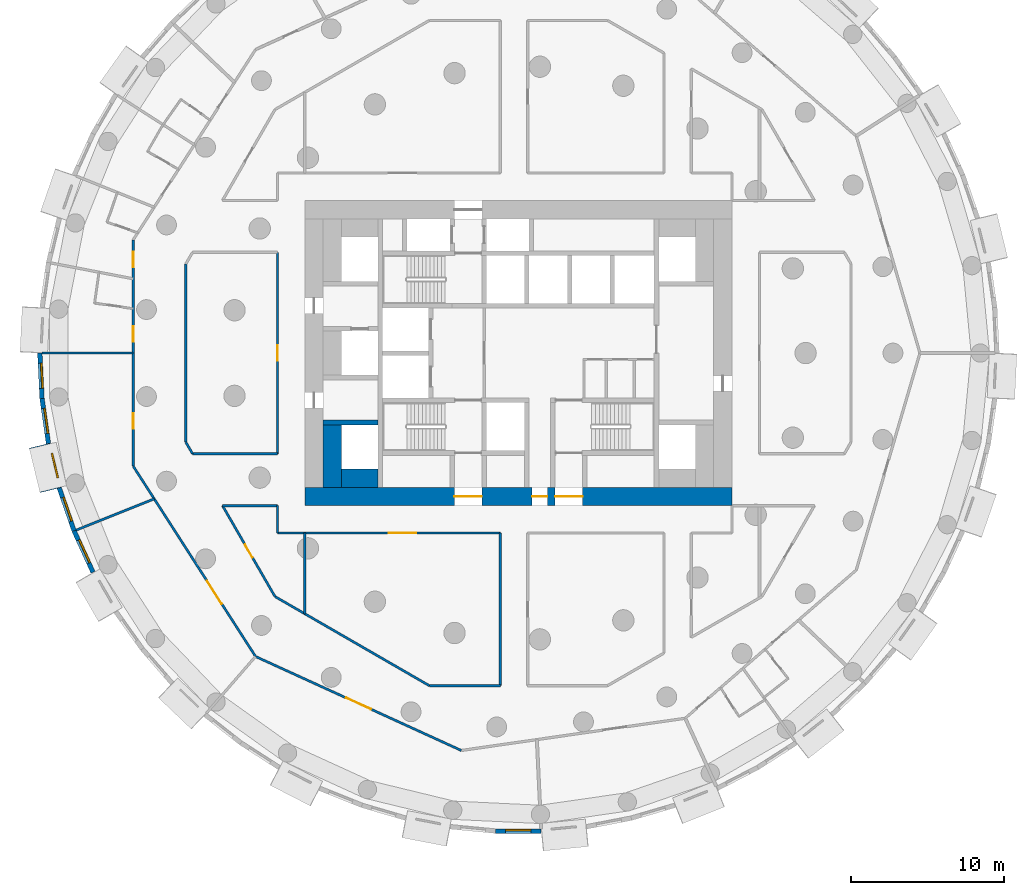
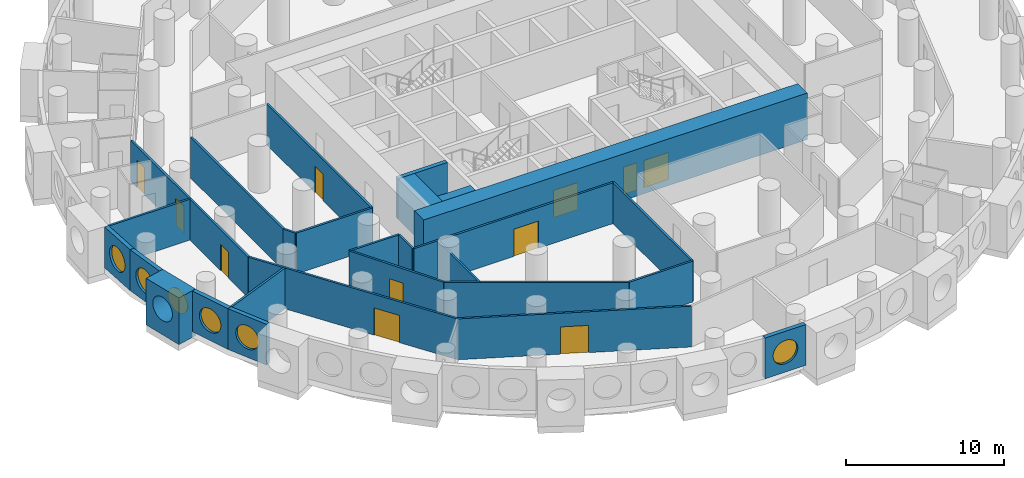
# One storey, part 3 of 11: 27 walls, 11 doors, 6 windows, 17 openings.
"""IFC4 building model written with IfcOpenShell, lengths in metres."""

from ifc_helpers import new_model, si_unit, direction, frame, frame_2d, origin, origin_2d, place, context, subcontext, project, spatial, rectangle, circle, extrude, material, layer, layer_set, type_object, element, fill, save


model = new_model("IFC4")

# Units and contexts
model_context = context("Model", 3, precision=1e-05, world=origin(), true_north=direction((0.0, 1.0)))
body_context = subcontext(model_context, "Body", "Model", "MODEL_VIEW")
ifc_project = project(units=[si_unit("LENGTHUNIT", "METRE"), si_unit("AREAUNIT", "SQUARE_METRE"), si_unit("VOLUMEUNIT", "CUBIC_METRE"), si_unit("PLANEANGLEUNIT", "RADIAN"), si_unit("MASSUNIT", "GRAM", prefix="KILO")], contexts=[model_context])

# Site, building, storey
site_placement = place(None, origin())
site = spatial("IfcSite", under=ifc_project, at=site_placement, CompositionType="ELEMENT")
building_placement = place(site_placement, origin())
building = spatial("IfcBuilding", under=site, at=building_placement, Name="Tracery Tower", CompositionType="ELEMENT")
storey_placement = place(building_placement, frame((0.0, 0.0, 64.199951171875)))
storey = spatial("IfcBuildingStorey", under=building, at=storey_placement, Name="L15", CompositionType="ELEMENT", Elevation=64.199951171875)

# Walls
ifc_material_1 = material(Name="Concrete C60/75", Category="concrete")
ifc_layer_1 = layer(ifc_material_1, 1.199951171875)
ifc_layer_set_1 = layer_set([ifc_layer_1], Name="Core strip wall 1200 C60")
wall_type_1 = type_object("IfcWallType", Name="Core strip wall 1200 C60", PredefinedType="SOLIDWALL", material=ifc_layer_set_1)
wall_1_placement = place(storey_placement, frame((-12.199951171875, -8.800048828125, 0.0), z_axis=(0.0, 0.0, 1.0), x_axis=(0.0, 1.0, 0.0)))
element("IfcWall", 1, at=wall_1_placement, inside=storey, type_object=wall_type_1, Name="L15 wing strip -1 -9.4", PredefinedType="SOLIDWALL", context=body_context, shape_type="SweptSolid", body=[
    extrude(rectangle(XDim=4.10009765625, YDim=1.199951171875, at=frame_2d((2.050048828125, 0.0))), origin(), (0.0, 0.0, 1.0), 3.150146484375),
])
wall_2_placement = place(storey_placement, frame((-11.60009765625, -8.199951171875, 0.0), z_axis=(0.0, 0.0, 1.0), x_axis=(1.0, 0.0, 0.0)))
element("IfcWall", 2, at=wall_2_placement, inside=storey, type_object=wall_type_1, Name="L15 wing corner -1 -8.2", PredefinedType="SOLIDWALL", context=body_context, shape_type="SweptSolid", body=[
    extrude(rectangle(XDim=2.400146484375, YDim=1.199951171875, at=frame_2d((1.2001953125, 0.0))), origin(), (0.0, 0.0, 1.0), 3.150146484375),
])

# Wall, openings, doors
ifc_material_2 = material(Name="Concrete C60/75", Category="concrete")
ifc_layer_2 = layer(ifc_material_2, 1.199951171875)
ifc_layer_set_2 = layer_set([ifc_layer_2], Name="Core wall 1200 C60")
wall_type_2 = type_object("IfcWallType", Name="Core wall 1200 C60", PredefinedType="SOLIDWALL", material=ifc_layer_set_2)
wall_3_placement = place(storey_placement, frame((-14.0, -9.39990234375, 0.0), z_axis=(0.0, 0.0, 1.0), x_axis=(1.0, 0.0, 0.0)))
wall_3 = element("IfcWall", 3, at=wall_3_placement, inside=storey, type_object=wall_type_2, Name="L15 outer S", PredefinedType="SOLIDWALL", context=body_context, shape_type="SweptSolid", body=[
    extrude(rectangle(XDim=28.0, YDim=1.199951171875, at=frame_2d((14.0, 0.0))), origin(), (0.0, 0.0, 1.0), 3.60009765625),
])
opening_1_placement = place(wall_3_placement, frame((14.89990234375, 0.0, 0.0)))
opening_1 = element("IfcOpeningElement", 4, at=opening_1_placement, cuts=wall_3, Name="Opening KD16", PredefinedType="OPENING", context=body_context, shape_type="SweptSolid", body=[
    extrude(rectangle(XDim=1.0, YDim=2.10009765625, at=frame_2d((0.5, 1.050048828125))), frame((0.0, 0.60009765625, 0.0), z_axis=(0.0, -1.0, 0.0), x_axis=(1.0, 0.0, 0.0)), (0.0, 0.0, 1.0), 1.199951171875),
])
opening_2_placement = place(wall_3_placement, frame((9.800048828125, 0.0, 0.0)))
opening_2 = element("IfcOpeningElement", 5, at=opening_2_placement, cuts=wall_3, Name="Opening KD13", PredefinedType="OPENING", context=body_context, shape_type="SweptSolid", body=[
    extrude(rectangle(XDim=1.800048828125, YDim=2.10009765625, at=frame_2d((0.89990234375, 1.050048828125))), frame((0.0, 0.60009765625, 0.0), z_axis=(0.0, -1.0, 0.0), x_axis=(1.0, 0.0, 0.0)), (0.0, 0.0, 1.0), 1.199951171875),
])
opening_3_placement = place(wall_3_placement, frame((16.39990234375, 0.0, 0.0)))
opening_3 = element("IfcOpeningElement", 6, at=opening_3_placement, cuts=wall_3, Name="Opening KD13", PredefinedType="OPENING", context=body_context, shape_type="SweptSolid", body=[
    extrude(rectangle(XDim=1.800048828125, YDim=2.10009765625, at=frame_2d((0.89990234375, 1.050048828125))), frame((0.0, 0.60009765625, 0.0), z_axis=(0.0, -1.0, 0.0), x_axis=(1.0, 0.0, 0.0)), (0.0, 0.0, 1.0), 1.199951171875),
])
ifc_material_3 = material(Name="Steel fire door", Category="steel")
door_type_1 = type_object("IfcDoorType", Name="Core exit door 1000", OperationType="NOTDEFINED", PredefinedType="DOOR", material=ifc_material_3)
door_1_placement = place(opening_1_placement, origin())
door_1 = element("IfcDoor", 7, at=door_1_placement, inside=storey, type_object=door_type_1, Name="Core exit door", OperationType="SINGLE_SWING_LEFT", OverallHeight=2.10009765625, OverallWidth=1.0, PredefinedType="DOOR", context=body_context, shape_type="SweptSolid", body=[
    extrude(rectangle(XDim=1.0, YDim=2.10009765625, at=frame_2d((0.5, 1.050048828125))), frame((0.0, 0.02490234375, 0.0), z_axis=(0.0, -1.0, 0.0), x_axis=(1.0, 0.0, 0.0)), (0.0, 0.0, 1.0), 0.050048828125),
])
fill(opening_1, door_1)
ifc_material_4 = material(Name="Steel fire door", Category="steel")
door_type_2 = type_object("IfcDoorType", Name="Core exit door 1800 double", OperationType="NOTDEFINED", PredefinedType="DOOR", material=ifc_material_4)
door_2_placement = place(opening_2_placement, origin())
door_2 = element("IfcDoor", 8, at=door_2_placement, inside=storey, type_object=door_type_2, Name="Core exit door", OperationType="DOUBLE_DOOR_SINGLE_SWING", OverallHeight=2.10009765625, OverallWidth=1.800048828125, PredefinedType="DOOR", context=body_context, shape_type="SweptSolid", body=[
    extrude(rectangle(XDim=1.800048828125, YDim=2.10009765625, at=frame_2d((0.89990234375, 1.050048828125))), frame((0.0, 0.02490234375, 0.0), z_axis=(0.0, -1.0, 0.0), x_axis=(1.0, 0.0, 0.0)), (0.0, 0.0, 1.0), 0.050048828125),
])
fill(opening_2, door_2)
door_3_placement = place(opening_3_placement, origin())
door_3 = element("IfcDoor", 9, at=door_3_placement, inside=storey, type_object=door_type_2, Name="Core exit door", OperationType="DOUBLE_DOOR_SINGLE_SWING", OverallHeight=2.10009765625, OverallWidth=1.800048828125, PredefinedType="DOOR", context=body_context, shape_type="SweptSolid", body=[
    extrude(rectangle(XDim=1.800048828125, YDim=2.10009765625, at=frame_2d((0.89990234375, 1.050048828125))), frame((0.0, 0.02490234375, 0.0), z_axis=(0.0, -1.0, 0.0), x_axis=(1.0, 0.0, 0.0)), (0.0, 0.0, 1.0), 0.050048828125),
])
fill(opening_3, door_3)

# Wall, opening, window
ifc_material_5 = material(Name="Precast concrete C50/60", Category="concrete")
ifc_layer_3 = layer(ifc_material_5, 1.449951171875)
ifc_layer_set_3 = layer_set([ifc_layer_3], Name="Deep-set bay unit 3000 x 3600, slab edge 450")
wall_type_3 = type_object("IfcWallType", Name="Deep-set bay unit 3000 x 3600, slab edge 450", PredefinedType="ELEMENTEDWALL", material=ifc_layer_set_3)
wall_4_placement = place(storey_placement, frame((-31.367919921875, -6.066162109375, -0.449951171875), z_axis=(0.0, 0.0, 1.0), x_axis=(0.235751415068, -0.971813392732, 0.0)))
wall_4 = element("IfcWall", 10, at=wall_4_placement, inside=storey, type_object=wall_type_3, Name="Deep-set bay unit 36 at L15", PredefinedType="ELEMENTEDWALL", context=body_context, shape_type="SweptSolid", body=[
    extrude(rectangle(XDim=3.0, YDim=1.449951171875, at=frame_2d((1.5, 0.0))), origin(), (0.0, 0.0, 1.0), 3.60009765625),
])
opening_4_placement = place(wall_4_placement, frame((1.5, 0.0, 2.0)))
opening_4 = element("IfcOpeningElement", 11, at=opening_4_placement, cuts=wall_4, Name="Opening WN1", PredefinedType="OPENING", context=body_context, shape_type="SweptSolid", body=[
    extrude(circle(Radius=0.9000244140625, at=origin_2d()), frame((0.0, 0.73486328125, 0.0), z_axis=(0.0, -1.0, 0.0), x_axis=(1.0, 0.0, 0.0)), (0.0, 0.0, 1.0), 1.469970703125),
])
ifc_material_6 = material(Name="Aluminium frame with tinted double glazing", Category="aluminium")
window_type = type_object("IfcWindowType", Name="Round window 1800", PartitioningType="SINGLE_PANEL", PredefinedType="WINDOW", material=ifc_material_6)
window_1_placement = place(opening_4_placement, origin())
window_1 = element("IfcWindow", 12, at=window_1_placement, inside=storey, type_object=window_type, Name="Round window 36 at L15", OverallHeight=1.800048828125, OverallWidth=1.800048828125, PartitioningType="SINGLE_PANEL", PredefinedType="WINDOW", context=body_context, shape_type="SweptSolid", body=[
    extrude(circle(Radius=0.9000244140625, at=origin_2d()), frame((0.0, 0.69482421875, 0.0), z_axis=(0.0, -1.0, 0.0), x_axis=(1.0, 0.0, 0.0)), (0.0, 0.0, 1.0), 0.10009765625),
])
fill(opening_4, window_1)

ifc_material_7 = material(Name="Precast concrete C50/60", Category="concrete")
ifc_layer_4 = layer(ifc_material_7, 0.300048828125)
ifc_layer_set_4 = layer_set([ifc_layer_4], Name="Facade panel 3000 x 3150")
wall_type_4 = type_object("IfcWallType", Name="Facade panel 3000 x 3150", PredefinedType="SOLIDWALL", material=ifc_layer_set_4)
wall_5_placement = place(storey_placement, frame((-31.3740234375, -0.006103515625, 0.0), z_axis=(0.0, 0.0, 1.0), x_axis=(0.047522328113, -0.998870175914, 0.0)))
wall_5 = element("IfcWall", 13, at=wall_5_placement, inside=storey, type_object=wall_type_4, Name="Facade panel 34 at L15", PredefinedType="SOLIDWALL", context=body_context, shape_type="SweptSolid", body=[
    extrude(rectangle(XDim=2.979736328125, YDim=0.300048828125, at=frame_2d((1.48974609375, 0.0))), origin(), (0.0, 0.0, 1.0), 3.150146484375),
])
opening_5_placement = place(wall_5_placement, frame((1.48974609375, 0.0, 1.5498046875)))
opening_5 = element("IfcOpeningElement", 14, at=opening_5_placement, cuts=wall_5, Name="Opening WN1", PredefinedType="OPENING", context=body_context, shape_type="SweptSolid", body=[
    extrude(circle(Radius=0.9000244140625, at=origin_2d()), frame((0.0, 0.159912109375, 0.0), z_axis=(0.0, -1.0, 0.0), x_axis=(1.0, 0.0, 0.0)), (0.0, 0.0, 1.0), 0.320068359375),
])
window_2_placement = place(opening_5_placement, origin())
window_2 = element("IfcWindow", 15, at=window_2_placement, inside=storey, type_object=window_type, Name="Round window 34 at L15", OverallHeight=1.800048828125, OverallWidth=1.800048828125, PartitioningType="SINGLE_PANEL", PredefinedType="WINDOW", context=body_context, shape_type="SweptSolid", body=[
    extrude(circle(Radius=0.9000244140625, at=origin_2d()), frame((0.0, 0.1201171875, 0.0), z_axis=(0.0, -1.0, 0.0), x_axis=(1.0, 0.0, 0.0)), (0.0, 0.0, 1.0), 0.10009765625),
])
fill(opening_5, window_2)

wall_6_placement = place(storey_placement, frame((-31.232421875, -2.982421875, 0.0), z_axis=(0.0, 0.0, 1.0), x_axis=(0.142327539111, -0.989819615693, 0.0)))
wall_6 = element("IfcWall", 16, at=wall_6_placement, inside=storey, type_object=wall_type_4, Name="Facade panel 35 at L15", PredefinedType="SOLIDWALL", context=body_context, shape_type="SweptSolid", body=[
    extrude(rectangle(XDim=2.9794921875, YDim=0.300048828125, at=frame_2d((1.48974609375, 0.0))), origin(), (0.0, 0.0, 1.0), 3.150146484375),
])
opening_6_placement = place(wall_6_placement, frame((1.48974609375, 0.0, 1.5498046875)))
opening_6 = element("IfcOpeningElement", 17, at=opening_6_placement, cuts=wall_6, Name="Opening WN1", PredefinedType="OPENING", context=body_context, shape_type="SweptSolid", body=[
    extrude(circle(Radius=0.9000244140625, at=origin_2d()), frame((0.0, 0.159912109375, 0.0), z_axis=(0.0, -1.0, 0.0), x_axis=(1.0, 0.0, 0.0)), (0.0, 0.0, 1.0), 0.320068359375),
])
window_3_placement = place(opening_6_placement, origin())
window_3 = element("IfcWindow", 18, at=window_3_placement, inside=storey, type_object=window_type, Name="Round window 35 at L15", OverallHeight=1.800048828125, OverallWidth=1.800048828125, PartitioningType="SINGLE_PANEL", PredefinedType="WINDOW", context=body_context, shape_type="SweptSolid", body=[
    extrude(circle(Radius=0.9000244140625, at=origin_2d()), frame((0.0, 0.1201171875, 0.0), z_axis=(0.0, -1.0, 0.0), x_axis=(1.0, 0.0, 0.0)), (0.0, 0.0, 1.0), 0.10009765625),
])
fill(opening_6, window_3)

wall_7_placement = place(storey_placement, frame((-30.1015625, -8.844970703125, 0.0), z_axis=(0.0, 0.0, 1.0), x_axis=(0.327096492592, -0.944990944154, 0.0)))
wall_7 = element("IfcWall", 19, at=wall_7_placement, inside=storey, type_object=wall_type_4, Name="Facade panel 37 at L15", PredefinedType="SOLIDWALL", context=body_context, shape_type="SweptSolid", body=[
    extrude(rectangle(XDim=2.9794921875, YDim=0.300048828125, at=frame_2d((1.48974609375, 0.0))), origin(), (0.0, 0.0, 1.0), 3.150146484375),
])
opening_7_placement = place(wall_7_placement, frame((1.48974609375, 0.0, 1.5498046875)))
opening_7 = element("IfcOpeningElement", 20, at=opening_7_placement, cuts=wall_7, Name="Opening WN1", PredefinedType="OPENING", context=body_context, shape_type="SweptSolid", body=[
    extrude(circle(Radius=0.9000244140625, at=origin_2d()), frame((0.0, 0.159912109375, 0.0), z_axis=(0.0, -1.0, 0.0), x_axis=(1.0, 0.0, 0.0)), (0.0, 0.0, 1.0), 0.320068359375),
])
window_4_placement = place(opening_7_placement, origin())
window_4 = element("IfcWindow", 21, at=window_4_placement, inside=storey, type_object=window_type, Name="Round window 37 at L15", OverallHeight=1.800048828125, OverallWidth=1.800048828125, PartitioningType="SINGLE_PANEL", PredefinedType="WINDOW", context=body_context, shape_type="SweptSolid", body=[
    extrude(circle(Radius=0.9000244140625, at=origin_2d()), frame((0.0, 0.1201171875, 0.0), z_axis=(0.0, -1.0, 0.0), x_axis=(1.0, 0.0, 0.0)), (0.0, 0.0, 1.0), 0.10009765625),
])
fill(opening_7, window_4)

wall_8_placement = place(storey_placement, frame((-29.126953125, -11.66064453125, 0.0), z_axis=(0.0, 0.0, 1.0), x_axis=(0.415407317162, -0.909635509888, 0.0)))
wall_8 = element("IfcWall", 22, at=wall_8_placement, inside=storey, type_object=wall_type_4, Name="Facade panel 38 at L15", PredefinedType="SOLIDWALL", context=body_context, shape_type="SweptSolid", body=[
    extrude(rectangle(XDim=2.979736328125, YDim=0.300048828125, at=frame_2d((1.48974609375, 0.0))), origin(), (0.0, 0.0, 1.0), 3.150146484375),
])
opening_8_placement = place(wall_8_placement, frame((1.48974609375, 0.0, 1.5498046875)))
opening_8 = element("IfcOpeningElement", 23, at=opening_8_placement, cuts=wall_8, Name="Opening WN1", PredefinedType="OPENING", context=body_context, shape_type="SweptSolid", body=[
    extrude(circle(Radius=0.9000244140625, at=origin_2d()), frame((0.0, 0.159912109375, 0.0), z_axis=(0.0, -1.0, 0.0), x_axis=(1.0, 0.0, 0.0)), (0.0, 0.0, 1.0), 0.320068359375),
])
window_5_placement = place(opening_8_placement, origin())
window_5 = element("IfcWindow", 24, at=window_5_placement, inside=storey, type_object=window_type, Name="Round window 38 at L15", OverallHeight=1.800048828125, OverallWidth=1.800048828125, PartitioningType="SINGLE_PANEL", PredefinedType="WINDOW", context=body_context, shape_type="SweptSolid", body=[
    extrude(circle(Radius=0.9000244140625, at=origin_2d()), frame((0.0, 0.1201171875, 0.0), z_axis=(0.0, -1.0, 0.0), x_axis=(1.0, 0.0, 0.0)), (0.0, 0.0, 1.0), 0.10009765625),
])
fill(opening_8, window_5)

wall_9_placement = place(storey_placement, frame((-1.492919921875, -31.3388671875, 0.0), z_axis=(0.0, 0.0, 1.0), x_axis=(1.0, 0.0, 0.0)))
wall_9 = element("IfcWall", 25, at=wall_9_placement, inside=storey, type_object=wall_type_4, Name="Facade panel 50 at L15", PredefinedType="SOLIDWALL", context=body_context, shape_type="SweptSolid", body=[
    extrude(rectangle(XDim=2.979736328125, YDim=0.300048828125, at=frame_2d((1.48974609375, 0.0))), origin(), (0.0, 0.0, 1.0), 3.150146484375),
])
opening_9_placement = place(wall_9_placement, frame((1.48974609375, 0.0, 1.5498046875)))
opening_9 = element("IfcOpeningElement", 26, at=opening_9_placement, cuts=wall_9, Name="Opening WN1", PredefinedType="OPENING", context=body_context, shape_type="SweptSolid", body=[
    extrude(circle(Radius=0.9000244140625, at=origin_2d()), frame((0.0, 0.159912109375, 0.0), z_axis=(0.0, -1.0, 0.0), x_axis=(1.0, 0.0, 0.0)), (0.0, 0.0, 1.0), 0.320068359375),
])
window_6_placement = place(opening_9_placement, origin())
window_6 = element("IfcWindow", 27, at=window_6_placement, inside=storey, type_object=window_type, Name="Round window 50 at L15", OverallHeight=1.800048828125, OverallWidth=1.800048828125, PartitioningType="SINGLE_PANEL", PredefinedType="WINDOW", context=body_context, shape_type="SweptSolid", body=[
    extrude(circle(Radius=0.9000244140625, at=origin_2d()), frame((0.0, 0.1201171875, 0.0), z_axis=(0.0, -1.0, 0.0), x_axis=(1.0, 0.0, 0.0)), (0.0, 0.0, 1.0), 0.10009765625),
])
fill(opening_9, window_6)

# Walls
ifc_material_8 = material(Name="Plasterboard on steel studs", Category="steel")
ifc_layer_5 = layer(ifc_material_8, 0.14990234375)
ifc_layer_set_5 = layer_set([ifc_layer_5], Name="Partition 150 acoustic unit wall")
wall_type_5 = type_object("IfcWallType", Name="Partition 150 acoustic unit wall", PredefinedType="PARTITIONING", material=ifc_layer_set_5)
wall_10_placement = place(storey_placement, frame((-14.0, -17.092041015625, 0.0), z_axis=(0.0, 0.0, 1.0), x_axis=(0.0, 1.0, 0.0)))
element("IfcWall", 28, at=wall_10_placement, inside=storey, type_object=wall_type_5, Name="Unit wall RA4-063", PredefinedType="PARTITIONING", context=body_context, shape_type="SweptSolid", body=[
    extrude(rectangle(XDim=5.2919921875, YDim=0.14990234375, at=frame_2d((2.64599609375, 0.0))), origin(), (0.0, 0.0, 1.0), 3.150146484375),
])
wall_11_placement = place(storey_placement, frame((-31.22412109375, 0.0, 0.0), z_axis=(0.0, 0.0, 1.0), x_axis=(1.0, 0.0, 0.0)))
element("IfcWall", 29, at=wall_11_placement, inside=storey, type_object=wall_type_5, Name="Unit wall RA4-082", PredefinedType="PARTITIONING", context=body_context, shape_type="SweptSolid", body=[
    extrude(rectangle(XDim=5.97119140625, YDim=0.14990234375, at=frame_2d((2.985595703125, 0.0))), origin(), (0.0, 0.0, 1.0), 3.150146484375),
])
wall_12_placement = place(storey_placement, frame((-28.988037109375, -11.60498046875, 0.0), z_axis=(0.0, 0.0, 1.0), x_axis=(0.928372711727, 0.371650518795, 0.0)))
element("IfcWall", 30, at=wall_12_placement, inside=storey, type_object=wall_type_5, Name="Unit wall RA4-083", PredefinedType="PARTITIONING", context=body_context, shape_type="SweptSolid", body=[
    extrude(rectangle(XDim=5.507568359375, YDim=0.14990234375, at=frame_2d((2.75390625, 0.0))), origin(), (0.0, 0.0, 1.0), 3.150146484375),
])

# Wall, opening, door
ifc_material_9 = material(Name="Plasterboard on steel studs", Category="steel")
ifc_layer_6 = layer(ifc_material_9, 0.14990234375)
ifc_layer_set_6 = layer_set([ifc_layer_6], Name="Partition 150 corridor wall")
wall_type_6 = type_object("IfcWallType", Name="Partition 150 corridor wall", PredefinedType="PARTITIONING", material=ifc_layer_set_6)
wall_13_placement = place(storey_placement, frame((-15.800048828125, -11.800048828125, 0.0), z_axis=(0.0, 0.0, 1.0), x_axis=(1.0, 0.0, 0.0)))
wall_13 = element("IfcWall", 31, at=wall_13_placement, inside=storey, type_object=wall_type_6, Name="Corridor wall RA4-006", PredefinedType="PARTITIONING", context=body_context, shape_type="SweptSolid", body=[
    extrude(rectangle(XDim=14.612060546875, YDim=0.14990234375, at=frame_2d((7.30615234375, 0.0))), origin(), (0.0, 0.0, 1.0), 3.150146484375),
])
opening_10_placement = place(wall_13_placement, frame((7.303955078125, 0.0, 0.0)))
opening_10 = element("IfcOpeningElement", 32, at=opening_10_placement, cuts=wall_13, Name="Opening RA4-04", PredefinedType="OPENING", context=body_context, shape_type="SweptSolid", body=[
    extrude(rectangle(XDim=1.800048828125, YDim=2.10009765625, at=frame_2d((0.89990234375, 1.050048828125))), frame((0.0, 0.074951171875, 0.0), z_axis=(0.0, -1.0, 0.0), x_axis=(1.0, 0.0, 0.0)), (0.0, 0.0, 1.0), 0.14990234375),
])
ifc_material_10 = material(Name="Timber door leaf", Category="wood")
door_type_3 = type_object("IfcDoorType", Name="Door double lounge 1800", OperationType="NOTDEFINED", PredefinedType="DOOR", material=ifc_material_10)
door_4_placement = place(opening_10_placement, origin())
door_4 = element("IfcDoor", 33, at=door_4_placement, inside=storey, type_object=door_type_3, Name="Double lounge door RA4-04", OperationType="DOUBLE_DOOR_SINGLE_SWING", OverallHeight=2.10009765625, OverallWidth=1.800048828125, PredefinedType="DOOR", context=body_context, shape_type="SweptSolid", body=[
    extrude(rectangle(XDim=1.800048828125, YDim=2.10009765625, at=frame_2d((0.89990234375, 1.050048828125))), frame((0.0, 0.02490234375, 0.0), z_axis=(0.0, -1.0, 0.0), x_axis=(1.0, 0.0, 0.0)), (0.0, 0.0, 1.0), 0.050048828125),
])
fill(opening_10, door_4)

# Wall
wall_14_placement = place(storey_placement, frame((-15.800048828125, -11.800048828125, 0.0), z_axis=(0.0, 0.0, 1.0), x_axis=(0.0, 1.0, 0.0)))
element("IfcWall", 34, at=wall_14_placement, inside=storey, type_object=wall_type_6, Name="Corridor wall RA4-010", PredefinedType="PARTITIONING", context=body_context, shape_type="SweptSolid", body=[
    extrude(rectangle(XDim=1.800048828125, YDim=0.14990234375, at=frame_2d((0.89990234375, 0.0))), origin(), (0.0, 0.0, 1.0), 3.150146484375),
])

# Wall, opening, door
wall_15_placement = place(storey_placement, frame((-15.800048828125, -6.60400390625, 0.0), z_axis=(0.0, 0.0, 1.0), x_axis=(0.0, 1.0, 0.0)))
wall_15 = element("IfcWall", 35, at=wall_15_placement, inside=storey, type_object=wall_type_6, Name="Corridor wall RA4-014", PredefinedType="PARTITIONING", context=body_context, shape_type="SweptSolid", body=[
    extrude(rectangle(XDim=13.2080078125, YDim=0.14990234375, at=frame_2d((6.60400390625, 0.0))), origin(), (0.0, 0.0, 1.0), 3.150146484375),
])
opening_11_placement = place(wall_15_placement, frame((6.10400390625, 0.0, 0.0)))
opening_11 = element("IfcOpeningElement", 36, at=opening_11_placement, cuts=wall_15, Name="Opening RA4-08", PredefinedType="OPENING", context=body_context, shape_type="SweptSolid", body=[
    extrude(rectangle(XDim=1.0, YDim=2.0400390625, at=frame_2d((0.5, 1.02001953125))), frame((0.0, 0.074951171875, 0.0), z_axis=(0.0, -1.0, 0.0), x_axis=(1.0, 0.0, 0.0)), (0.0, 0.0, 1.0), 0.14990234375),
])
ifc_material_11 = material(Name="Timber door leaf", Category="wood")
door_type_4 = type_object("IfcDoorType", Name="Door communal room 1000", OperationType="NOTDEFINED", PredefinedType="DOOR", material=ifc_material_11)
door_5_placement = place(opening_11_placement, origin())
door_5 = element("IfcDoor", 37, at=door_5_placement, inside=storey, type_object=door_type_4, Name="Communal room door RA4-08", OperationType="SINGLE_SWING_RIGHT", OverallHeight=2.0400390625, OverallWidth=1.0, PredefinedType="DOOR", context=body_context, shape_type="SweptSolid", body=[
    extrude(rectangle(XDim=1.0, YDim=2.0400390625, at=frame_2d((0.5, 1.02001953125))), frame((0.0, 0.02490234375, 0.0), z_axis=(0.0, -1.0, 0.0), x_axis=(1.0, 0.0, 0.0)), (0.0, 0.0, 1.0), 0.050048828125),
])
fill(opening_11, door_5)

# Walls
wall_16_placement = place(storey_placement, frame((-21.802001953125, -5.842041015625, 0.0), z_axis=(0.0, 0.0, 1.0), x_axis=(0.0, 1.0, 0.0)))
element("IfcWall", 38, at=wall_16_placement, inside=storey, type_object=wall_type_6, Name="Corridor wall RA4-040", PredefinedType="PARTITIONING", context=body_context, shape_type="SweptSolid", body=[
    extrude(rectangle(XDim=11.68408203125, YDim=0.14990234375, at=frame_2d((5.842041015625, 0.0))), origin(), (0.0, 0.0, 1.0), 3.150146484375),
])
wall_17_placement = place(storey_placement, frame((-21.802001953125, -5.842041015625, 0.0), z_axis=(0.0, 0.0, 1.0), x_axis=(0.500277597875, -0.865865073245, 0.0)))
element("IfcWall", 39, at=wall_17_placement, inside=storey, type_object=wall_type_6, Name="Corridor wall RA4-041", PredefinedType="PARTITIONING", context=body_context, shape_type="SweptSolid", body=[
    extrude(rectangle(XDim=0.87548828125, YDim=0.14990234375, at=frame_2d((0.437744140625, 0.0))), origin(), (0.0, 0.0, 1.0), 3.150146484375),
])
wall_18_placement = place(storey_placement, frame((-21.364013671875, -6.60009765625, 0.0), z_axis=(0.0, 0.0, 1.0), x_axis=(1.0, 0.0, 0.0)))
element("IfcWall", 40, at=wall_18_placement, inside=storey, type_object=wall_type_6, Name="Corridor wall RA4-042", PredefinedType="PARTITIONING", context=body_context, shape_type="SweptSolid", body=[
    extrude(rectangle(XDim=5.56396484375, YDim=0.14990234375, at=frame_2d((2.781982421875, 0.0))), origin(), (0.0, 0.0, 1.0), 3.150146484375),
])
wall_19_placement = place(storey_placement, frame((-19.40087890625, -10.0, 0.0), z_axis=(0.0, 0.0, 1.0), x_axis=(1.0, 0.0, 0.0)))
element("IfcWall", 41, at=wall_19_placement, inside=storey, type_object=wall_type_6, Name="Corridor wall RA4-045", PredefinedType="PARTITIONING", context=body_context, shape_type="SweptSolid", body=[
    extrude(rectangle(XDim=3.600830078125, YDim=0.14990234375, at=frame_2d((1.80029296875, 0.0))), origin(), (0.0, 0.0, 1.0), 3.150146484375),
])

# Wall, opening, door
wall_20_placement = place(storey_placement, frame((-19.40087890625, -10.0, 0.0), z_axis=(0.0, 0.0, 1.0), x_axis=(0.499992689227, -0.86602962462, 0.0)))
wall_20 = element("IfcWall", 42, at=wall_20_placement, inside=storey, type_object=wall_type_6, Name="Corridor wall RA4-046", PredefinedType="PARTITIONING", context=body_context, shape_type="SweptSolid", body=[
    extrude(rectangle(XDim=6.8818359375, YDim=0.14990234375, at=frame_2d((3.44091796875, 0.0))), origin(), (0.0, 0.0, 1.0), 3.150146484375),
])
opening_12_placement = place(wall_20_placement, frame((2.94091796875, 0.0, 0.0)))
opening_12 = element("IfcOpeningElement", 43, at=opening_12_placement, cuts=wall_20, Name="Opening RA4-12", PredefinedType="OPENING", context=body_context, shape_type="SweptSolid", body=[
    extrude(rectangle(XDim=1.0, YDim=2.0400390625, at=frame_2d((0.5, 1.02001953125))), frame((0.0, 0.074951171875, 0.0), z_axis=(0.0, -1.0, 0.0), x_axis=(1.0, 0.0, 0.0)), (0.0, 0.0, 1.0), 0.14990234375),
])
door_6_placement = place(opening_12_placement, origin())
door_6 = element("IfcDoor", 44, at=door_6_placement, inside=storey, type_object=door_type_4, Name="Communal room door RA4-12", OperationType="SINGLE_SWING_LEFT", OverallHeight=2.0400390625, OverallWidth=1.0, PredefinedType="DOOR", context=body_context, shape_type="SweptSolid", body=[
    extrude(rectangle(XDim=1.0, YDim=2.0400390625, at=frame_2d((0.5, 1.02001953125))), frame((0.0, 0.02490234375, 0.0), z_axis=(0.0, -1.0, 0.0), x_axis=(1.0, 0.0, 0.0)), (0.0, 0.0, 1.0), 0.050048828125),
])
fill(opening_12, door_6)

# Wall, openings, doors
wall_21_placement = place(storey_placement, frame((-25.2529296875, -7.4150390625, 0.0), z_axis=(0.0, 0.0, 1.0), x_axis=(0.0, 1.0, 0.0)))
wall_21 = element("IfcWall", 45, at=wall_21_placement, inside=storey, type_object=wall_type_6, Name="Corridor wall RA4-047", PredefinedType="PARTITIONING", context=body_context, shape_type="SweptSolid", body=[
    extrude(rectangle(XDim=14.830078125, YDim=0.14990234375, at=frame_2d((7.4150390625, 0.0))), origin(), (0.0, 0.0, 1.0), 3.150146484375),
])
opening_13_placement = place(wall_21_placement, frame((13.053955078125, 0.0, 0.0)))
opening_13 = element("IfcOpeningElement", 46, at=opening_13_placement, cuts=wall_21, Name="Opening RA4-23", PredefinedType="OPENING", context=body_context, shape_type="SweptSolid", body=[
    extrude(rectangle(XDim=1.0, YDim=2.10009765625, at=frame_2d((0.5, 1.050048828125))), frame((0.0, 0.074951171875, 0.0), z_axis=(0.0, -1.0, 0.0), x_axis=(1.0, 0.0, 0.0)), (0.0, 0.0, 1.0), 0.14990234375),
])
opening_14_placement = place(wall_21_placement, frame((8.1689453125, 0.0, 0.0)))
opening_14 = element("IfcOpeningElement", 47, at=opening_14_placement, cuts=wall_21, Name="Opening RA4-25", PredefinedType="OPENING", context=body_context, shape_type="SweptSolid", body=[
    extrude(rectangle(XDim=1.0, YDim=2.10009765625, at=frame_2d((0.5, 1.050048828125))), frame((0.0, 0.074951171875, 0.0), z_axis=(0.0, -1.0, 0.0), x_axis=(1.0, 0.0, 0.0)), (0.0, 0.0, 1.0), 0.14990234375),
])
opening_15_placement = place(wall_21_placement, frame((2.458984375, 0.0, 0.0)))
opening_15 = element("IfcOpeningElement", 48, at=opening_15_placement, cuts=wall_21, Name="Opening RA4-26", PredefinedType="OPENING", context=body_context, shape_type="SweptSolid", body=[
    extrude(rectangle(XDim=1.0, YDim=2.0400390625, at=frame_2d((0.5, 1.02001953125))), frame((0.0, 0.074951171875, 0.0), z_axis=(0.0, -1.0, 0.0), x_axis=(1.0, 0.0, 0.0)), (0.0, 0.0, 1.0), 0.14990234375),
])
door_7_placement = place(opening_15_placement, origin())
door_7 = element("IfcDoor", 49, at=door_7_placement, inside=storey, type_object=door_type_4, Name="Communal room door RA4-26", OperationType="SINGLE_SWING_LEFT", OverallHeight=2.0400390625, OverallWidth=1.0, PredefinedType="DOOR", context=body_context, shape_type="SweptSolid", body=[
    extrude(rectangle(XDim=1.0, YDim=2.0400390625, at=frame_2d((0.5, 1.02001953125))), frame((0.0, 0.02490234375, 0.0), z_axis=(0.0, -1.0, 0.0), x_axis=(1.0, 0.0, 0.0)), (0.0, 0.0, 1.0), 0.050048828125),
])
fill(opening_15, door_7)
ifc_material_12 = material(Name="Timber door leaf", Category="wood")
door_type_5 = type_object("IfcDoorType", Name="Door unit entrance 1000", OperationType="NOTDEFINED", PredefinedType="DOOR", material=ifc_material_12)
door_8_placement = place(opening_13_placement, origin())
door_8 = element("IfcDoor", 50, at=door_8_placement, inside=storey, type_object=door_type_5, Name="Unit entrance door RA4-23", OperationType="SINGLE_SWING_RIGHT", OverallHeight=2.10009765625, OverallWidth=1.0, PredefinedType="DOOR", context=body_context, shape_type="SweptSolid", body=[
    extrude(rectangle(XDim=1.0, YDim=2.10009765625, at=frame_2d((0.5, 1.050048828125))), frame((0.0, 0.02490234375, 0.0), z_axis=(0.0, -1.0, 0.0), x_axis=(1.0, 0.0, 0.0)), (0.0, 0.0, 1.0), 0.050048828125),
])
fill(opening_13, door_8)
door_9_placement = place(opening_14_placement, origin())
door_9 = element("IfcDoor", 51, at=door_9_placement, inside=storey, type_object=door_type_5, Name="Unit entrance door RA4-25", OperationType="SINGLE_SWING_LEFT", OverallHeight=2.10009765625, OverallWidth=1.0, PredefinedType="DOOR", context=body_context, shape_type="SweptSolid", body=[
    extrude(rectangle(XDim=1.0, YDim=2.10009765625, at=frame_2d((0.5, 1.050048828125))), frame((0.0, 0.02490234375, 0.0), z_axis=(0.0, -1.0, 0.0), x_axis=(1.0, 0.0, 0.0)), (0.0, 0.0, 1.0), 0.050048828125),
])
fill(opening_14, door_9)

# Wall, opening, door
wall_22_placement = place(storey_placement, frame((-25.2529296875, -7.4150390625, 0.0), z_axis=(0.0, 0.0, 1.0), x_axis=(0.540867421004, -0.841107860442, 0.0)))
wall_22 = element("IfcWall", 52, at=wall_22_placement, inside=storey, type_object=wall_type_6, Name="Corridor wall RA4-048", PredefinedType="PARTITIONING", context=body_context, shape_type="SweptSolid", body=[
    extrude(rectangle(XDim=14.829345703125, YDim=0.14990234375, at=frame_2d((7.41455078125, 0.0))), origin(), (0.0, 0.0, 1.0), 3.150146484375),
])
opening_16_placement = place(wall_22_placement, frame((8.92626953125, 0.0, 0.0)))
opening_16 = element("IfcOpeningElement", 53, at=opening_16_placement, cuts=wall_22, Name="Opening RA4-27", PredefinedType="OPENING", context=body_context, shape_type="SweptSolid", body=[
    extrude(rectangle(XDim=1.800048828125, YDim=2.10009765625, at=frame_2d((0.89990234375, 1.050048828125))), frame((0.0, 0.074951171875, 0.0), z_axis=(0.0, -1.0, 0.0), x_axis=(1.0, 0.0, 0.0)), (0.0, 0.0, 1.0), 0.14990234375),
])
door_10_placement = place(opening_16_placement, origin())
door_10 = element("IfcDoor", 54, at=door_10_placement, inside=storey, type_object=door_type_3, Name="Double lounge door RA4-27", OperationType="DOUBLE_DOOR_SINGLE_SWING", OverallHeight=2.10009765625, OverallWidth=1.800048828125, PredefinedType="DOOR", context=body_context, shape_type="SweptSolid", body=[
    extrude(rectangle(XDim=1.800048828125, YDim=2.10009765625, at=frame_2d((0.89990234375, 1.050048828125))), frame((0.0, 0.02490234375, 0.0), z_axis=(0.0, -1.0, 0.0), x_axis=(1.0, 0.0, 0.0)), (0.0, 0.0, 1.0), 0.050048828125),
])
fill(opening_16, door_10)

# Walls
wall_23_placement = place(storey_placement, frame((-15.960205078125, -15.960205078125, 0.0), z_axis=(0.0, 0.0, 1.0), x_axis=(0.866022730501, -0.500004630234, 0.0)))
element("IfcWall", 55, at=wall_23_placement, inside=storey, type_object=wall_type_6, Name="Corridor wall RA4-049", PredefinedType="PARTITIONING", context=body_context, shape_type="SweptSolid", body=[
    extrude(rectangle(XDim=11.68359375, YDim=0.14990234375, at=frame_2d((5.841796875, 0.0))), origin(), (0.0, 0.0, 1.0), 3.150146484375),
])
wall_24_placement = place(storey_placement, frame((-5.842041015625, -21.802001953125, 0.0), z_axis=(0.0, 0.0, 1.0), x_axis=(1.0, 0.0, 0.0)))
element("IfcWall", 56, at=wall_24_placement, inside=storey, type_object=wall_type_6, Name="Corridor wall RA4-050", PredefinedType="PARTITIONING", context=body_context, shape_type="SweptSolid", body=[
    extrude(rectangle(XDim=4.650146484375, YDim=0.14990234375, at=frame_2d((2.3251953125, 0.0))), origin(), (0.0, 0.0, 1.0), 3.150146484375),
])
wall_25_placement = place(storey_placement, frame((-1.19189453125, -21.802001953125, 0.0), z_axis=(0.0, 0.0, 1.0), x_axis=(0.0, 1.0, 0.0)))
element("IfcWall", 57, at=wall_25_placement, inside=storey, type_object=wall_type_6, Name="Corridor wall RA4-051", PredefinedType="PARTITIONING", context=body_context, shape_type="SweptSolid", body=[
    extrude(rectangle(XDim=10.001953125, YDim=0.14990234375, at=frame_2d((5.0009765625, 0.0))), origin(), (0.0, 0.0, 1.0), 3.150146484375),
])

# Wall, opening, door
wall_26_placement = place(storey_placement, frame((-17.235107421875, -19.889892578125, 0.0), z_axis=(0.0, 0.0, 1.0), x_axis=(0.90960889055, -0.415465601743, 0.0)))
wall_26 = element("IfcWall", 58, at=wall_26_placement, inside=storey, type_object=wall_type_6, Name="Corridor wall RA4-059", PredefinedType="PARTITIONING", context=body_context, shape_type="SweptSolid", body=[
    extrude(rectangle(XDim=14.829345703125, YDim=0.14990234375, at=frame_2d((7.41455078125, 0.0))), origin(), (0.0, 0.0, 1.0), 3.150146484375),
])
opening_17_placement = place(wall_26_placement, frame((6.514404296875, 0.0, 0.0)))
opening_17 = element("IfcOpeningElement", 59, at=opening_17_placement, cuts=wall_26, Name="Opening RA4-28", PredefinedType="OPENING", context=body_context, shape_type="SweptSolid", body=[
    extrude(rectangle(XDim=1.800048828125, YDim=2.10009765625, at=frame_2d((0.89990234375, 1.050048828125))), frame((0.0, 0.074951171875, 0.0), z_axis=(0.0, -1.0, 0.0), x_axis=(1.0, 0.0, 0.0)), (0.0, 0.0, 1.0), 0.14990234375),
])
door_11_placement = place(opening_17_placement, origin())
door_11 = element("IfcDoor", 60, at=door_11_placement, inside=storey, type_object=door_type_3, Name="Double lounge door RA4-28", OperationType="DOUBLE_DOOR_SINGLE_SWING", OverallHeight=2.10009765625, OverallWidth=1.800048828125, PredefinedType="DOOR", context=body_context, shape_type="SweptSolid", body=[
    extrude(rectangle(XDim=1.800048828125, YDim=2.10009765625, at=frame_2d((0.89990234375, 1.050048828125))), frame((0.0, 0.02490234375, 0.0), z_axis=(0.0, -1.0, 0.0), x_axis=(1.0, 0.0, 0.0)), (0.0, 0.0, 1.0), 0.050048828125),
])
fill(opening_17, door_11)

# Wall
ifc_material_13 = material(Name="Concrete C60/75", Category="concrete")
ifc_layer_7 = layer(ifc_material_13, 0.300048828125)
ifc_layer_set_7 = layer_set([ifc_layer_7], Name="Shaft wall 300 C60")
wall_type_7 = type_object("IfcWallType", Name="Shaft wall 300 C60", PredefinedType="SOLIDWALL", material=ifc_layer_set_7)
wall_27_placement = place(storey_placement, frame((-12.800048828125, -4.550048828125, 0.0), z_axis=(0.0, 0.0, 1.0), x_axis=(1.0, 0.0, 0.0)))
element("IfcWall", 61, at=wall_27_placement, inside=storey, type_object=wall_type_7, Name="L15 wing shaft wall -1 -4.55", PredefinedType="SOLIDWALL", context=body_context, shape_type="SweptSolid", body=[
    extrude(rectangle(XDim=3.60009765625, YDim=0.300048828125, at=frame_2d((1.800048828125, 0.0))), origin(), (0.0, 0.0, 1.0), 3.150146484375),
])

save(model, "model.ifc")
